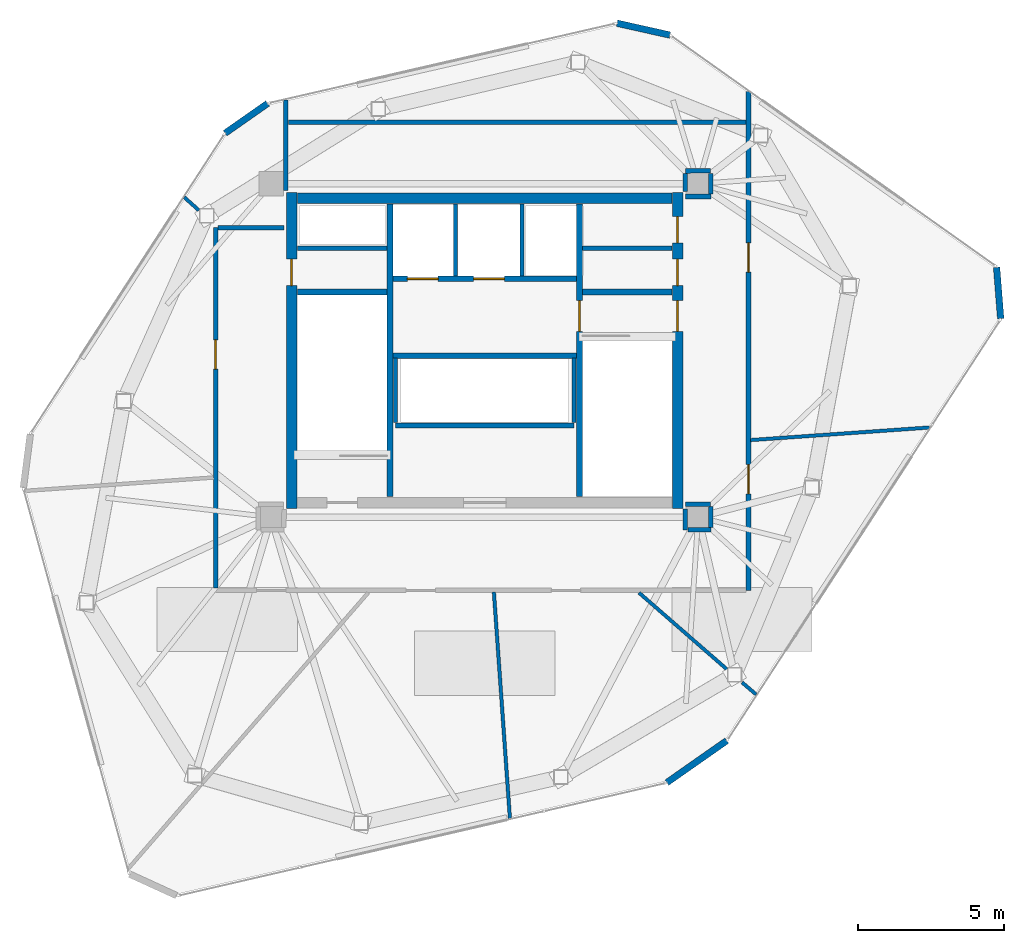
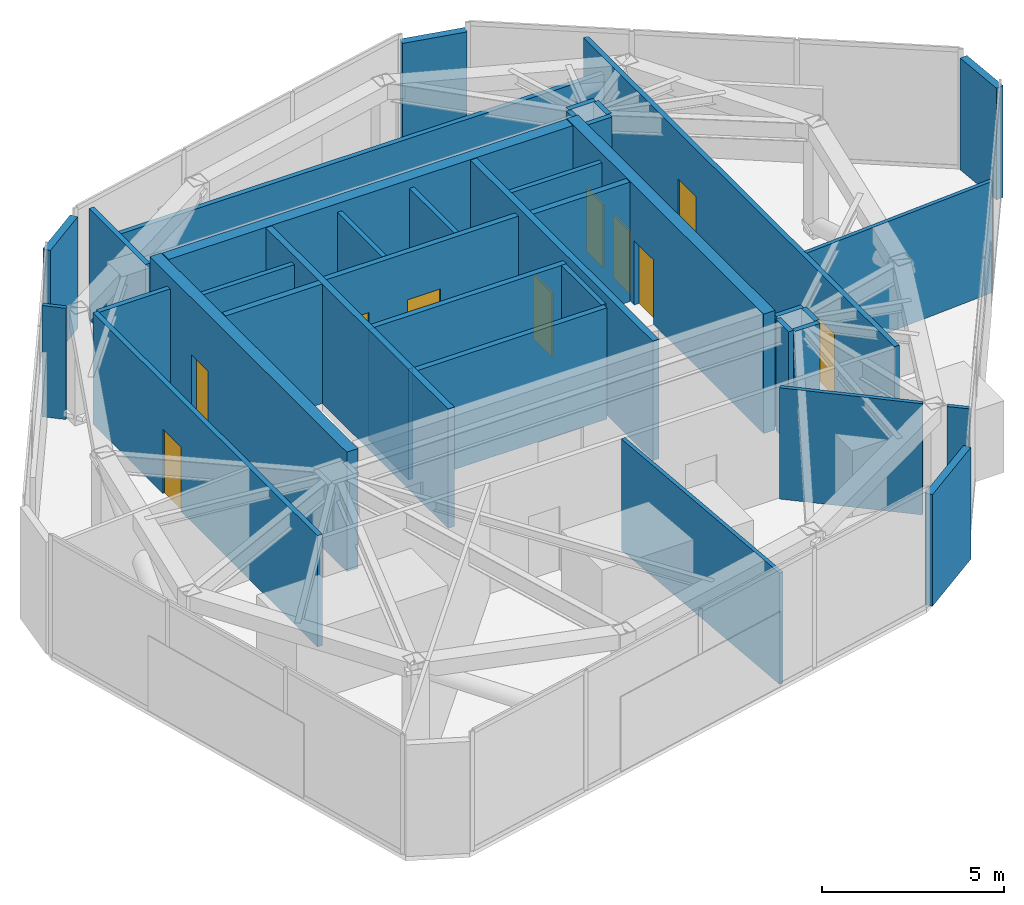
# One storey, part 18 of 20: 38 walls, 10 doors, 10 openings.
"""IFC4 building model written with IfcOpenShell, lengths in metres."""

from ifc_helpers import new_model, si_unit, direction, frame, frame_2d, origin, place, context, subcontext, project, spatial, rectangle, extrude, source, transform, mapped, material, layer, layer_set, type_object, type_shapes, element, fill, save


model = new_model("IFC4")

# Units and contexts
model_context = context("Model", 3, precision=1e-05, world=origin(), true_north=direction((0.0, 1.0)))
body_context = subcontext(model_context, "Body", "Model", "MODEL_VIEW")
ifc_project = project(units=[si_unit("LENGTHUNIT", "METRE"), si_unit("AREAUNIT", "SQUARE_METRE"), si_unit("VOLUMEUNIT", "CUBIC_METRE"), si_unit("PLANEANGLEUNIT", "RADIAN"), si_unit("MASSUNIT", "GRAM", prefix="KILO")], contexts=[model_context])

# Site, building, storey
site_placement = place(None, origin())
site = spatial("IfcSite", under=ifc_project, at=site_placement, CompositionType="ELEMENT")
building_placement = place(site_placement, origin())
building = spatial("IfcBuilding", under=site, at=building_placement, Name="Talar Marvaseh", CompositionType="ELEMENT")
storey_placement = place(building_placement, frame((0.0, 0.0, 312.0)))
storey = spatial("IfcBuildingStorey", under=building, at=storey_placement, Name="L83", CompositionType="ELEMENT", Elevation=312.0)

# Walls
ifc_material_1 = material(Name="Precast concrete C45/55", Category="concrete")
ifc_layer_1 = layer(ifc_material_1, 0.22509765625)
ifc_layer_set_1 = layer_set([ifc_layer_1], Name="Precast concrete C45/55")
wall_type_1 = type_object("IfcWallType", Name="Chamfered Hexagonal Corner Pier Wall Z4 225", PredefinedType="SOLIDWALL", material=ifc_layer_set_1)
wall_1_placement = place(storey_placement, frame((17.1220703125, 38.626708984375, 0.0), z_axis=(0.0, 0.0, 1.0), x_axis=(0.819090185356, 0.573664769925, 0.0)))
element("IfcWall", 1, at=wall_1_placement, inside=storey, type_object=wall_type_1, Name="L83 Chamfered Corner Limestone Pier 3", PredefinedType="SOLIDWALL", context=body_context, shape_type="SweptSolid", body=[
    extrude(rectangle(XDim=1.780517578125, YDim=0.22509765625, at=frame_2d((0.89013671875, 0.0))), origin(), (0.0, 0.0, 1.0), 3.739990234375),
])
wall_2_placement = place(storey_placement, frame((30.5244140625, 42.38916015625, 0.0), z_axis=(0.0, 0.0, 1.0), x_axis=(0.975826819247, -0.218545232932, 0.0)))
element("IfcWall", 2, at=wall_2_placement, inside=storey, type_object=wall_type_1, Name="L83 Chamfered Corner Limestone Pier 4", PredefinedType="SOLIDWALL", context=body_context, shape_type="SweptSolid", body=[
    extrude(rectangle(XDim=1.856689453125, YDim=0.22509765625, at=frame_2d((0.92822265625, 0.0))), origin(), (0.0, 0.0, 1.0), 3.739990234375),
])
wall_3_placement = place(storey_placement, frame((43.504150390625, 34.041748046875, 0.0), z_axis=(0.0, 0.0, 1.0), x_axis=(0.079712105085, -0.996817927358, 0.0)))
element("IfcWall", 3, at=wall_3_placement, inside=storey, type_object=wall_type_1, Name="L83 Chamfered Corner Limestone Pier 5", PredefinedType="SOLIDWALL", context=body_context, shape_type="SweptSolid", body=[
    extrude(rectangle(XDim=1.758056640625, YDim=0.22509765625, at=frame_2d((0.87890625, 0.0))), origin(), (0.0, 0.0, 1.0), 3.739990234375),
])
wall_4_placement = place(storey_placement, frame((34.27880859375, 17.85791015625, 0.0), z_axis=(0.0, 0.0, 1.0), x_axis=(-0.819149408047, -0.573580201276, 0.0)))
element("IfcWall", 4, at=wall_4_placement, inside=storey, type_object=wall_type_1, Name="L83 Chamfered Corner Limestone Pier 6", PredefinedType="SOLIDWALL", context=body_context, shape_type="SweptSolid", body=[
    extrude(rectangle(XDim=2.50244140625, YDim=0.22509765625, at=frame_2d((1.251220703125, 0.0))), origin(), (0.0, 0.0, 1.0), 3.739990234375),
])
ifc_material_2 = material(Name="Gypsum Board Partition Assembly")
ifc_layer_2 = layer(ifc_material_2, 0.155029296875)
ifc_layer_set_2 = layer_set([ifc_layer_2], Name="Gypsum Board Partition Assembly")
wall_type_2 = type_object("IfcWallType", Name="Corridor Fire-Rated Acoustic Partition 155", PredefinedType="PARTITIONING", material=ifc_layer_set_2)
for number, where, z_axis, x_axis, name in (
    (5, (19.60009765625, 34.699951171875, 0.0), (0.0, 0.0, 1.0), (1.0, 0.0, 0.0), "L83 Core BOH Partition"),
    (6, (29.340087890625, 34.699951171875, 0.0), (0.0, 0.0, 1.0), (1.0, 0.0, 0.0), "L83 Core BOH Partition"),
):
    element("IfcWall", number, at=place(storey_placement, frame(where, z_axis=z_axis, x_axis=x_axis)), inside=storey, type_object=wall_type_2, Name=name, PredefinedType="PARTITIONING", context=body_context, shape_type="SweptSolid", body=[
        extrude(rectangle(XDim=3.059814453125, YDim=0.155029296875, at=frame_2d((1.52978515625, 0.0))), origin(), (0.0, 0.0, 1.0), 3.72509765625),
    ])

# Wall, openings, doors
wall_5_placement = place(storey_placement, frame((35.02001953125, 40.060546875, 0.0), z_axis=(0.0, 0.0, 1.0), x_axis=(0.0, -1.0, 0.0)))
wall_5 = element("IfcWall", 7, at=wall_5_placement, inside=storey, type_object=wall_type_2, Name="L83 Interior Partition Wall", PredefinedType="PARTITIONING", context=body_context, shape_type="SweptSolid", body=[
    extrude(rectangle(XDim=17.060546875, YDim=0.155029296875, at=frame_2d((8.5302734375, 0.0))), origin(), (0.0, 0.0, 1.0), 3.72509765625),
])
opening_1_placement = place(wall_5_placement, frame((12.765380859375, 0.0, 0.0)))
opening_1 = element("IfcOpeningElement", 8, at=opening_1_placement, cuts=wall_5, Name="Opening DR-RM100", PredefinedType="OPENING", context=body_context, shape_type="SweptSolid", body=[
    extrude(rectangle(XDim=1.0, YDim=2.14990234375, at=frame_2d((0.5, 1.074951171875))), frame((0.0, 0.08740234375, 0.0), z_axis=(0.0, -1.0, 0.0), x_axis=(1.0, 0.0, 0.0)), (0.0, 0.0, 1.0), 0.175048828125),
])
opening_2_placement = place(wall_5_placement, frame((5.184326171875, 0.0, 0.0)))
opening_2 = element("IfcOpeningElement", 9, at=opening_2_placement, cuts=wall_5, Name="Opening DR-RM100", PredefinedType="OPENING", context=body_context, shape_type="SweptSolid", body=[
    extrude(rectangle(XDim=1.0, YDim=2.14990234375, at=frame_2d((0.5, 1.074951171875))), frame((0.0, 0.08740234375, 0.0), z_axis=(0.0, -1.0, 0.0), x_axis=(1.0, 0.0, 0.0)), (0.0, 0.0, 1.0), 0.175048828125),
])
ifc_material_3 = material(Name="Acoustic Engineered Oak Timber", Category="wood")
door_type_1 = type_object("IfcDoorType", Name="Corridor Fire-Rated Gallery Door 1000x2150", OperationType="NOTDEFINED", PredefinedType="DOOR", material=ifc_material_3)
shared_shape_1 = source(origin(), body_context, "Body", "SweptSolid", [
    extrude(rectangle(XDim=1.0, YDim=2.14990234375, at=frame_2d((0.5, 1.074951171875))), frame((0.0, 0.02490234375, 0.0), z_axis=(0.0, -1.0, 0.0), x_axis=(1.0, 0.0, 0.0)), (0.0, 0.0, 1.0), 0.050048828125),
])
type_shapes(door_type_1, [shared_shape_1])
door_1_placement = place(opening_1_placement, origin())
door_1 = element("IfcDoor", 10, at=door_1_placement, inside=storey, type_object=door_type_1, Name="L83 HV Transformer Switchroom Door", OperationType="SINGLE_SWING_LEFT", OverallHeight=2.14990234375, OverallWidth=1.0, PredefinedType="DOOR", context=body_context, shape_type="MappedRepresentation", body=[
    mapped(shared_shape_1, transform((0.0, 0.0, 0.0), x_axis=(1.0, 0.0, 0.0), y_axis=(0.0, 1.0, 0.0), z_axis=(0.0, 0.0, 1.0), scale=1.0)),
])
fill(opening_1, door_1)
door_2_placement = place(opening_2_placement, origin())
door_2 = element("IfcDoor", 11, at=door_2_placement, inside=storey, type_object=door_type_1, Name="L83 Heat Recovery Mechanical Plant Room Door", OperationType="SINGLE_SWING_RIGHT", OverallHeight=2.14990234375, OverallWidth=1.0, PredefinedType="DOOR", context=body_context, shape_type="MappedRepresentation", body=[
    mapped(shared_shape_1, transform((0.0, 0.0, 0.0), x_axis=(1.0, 0.0, 0.0), y_axis=(0.0, 1.0, 0.0), z_axis=(0.0, 0.0, 1.0), scale=1.0)),
])
fill(opening_2, door_2)

# Wall, opening, door
wall_6_placement = place(storey_placement, frame((16.800048828125, 23.08349609375, 0.0), z_axis=(0.0, 0.0, 1.0), x_axis=(0.0, 1.0, 0.0)))
wall_6 = element("IfcWall", 12, at=wall_6_placement, inside=storey, type_object=wall_type_2, Name="L83 Interior Partition Wall", PredefinedType="PARTITIONING", context=body_context, shape_type="SweptSolid", body=[
    extrude(rectangle(XDim=12.31640625, YDim=0.155029296875, at=frame_2d((6.158203125, 0.0))), origin(), (0.0, 0.0, 1.0), 3.72509765625),
])
opening_3_placement = place(wall_6_placement, frame((7.474609375, 0.0, 0.0)))
opening_3 = element("IfcOpeningElement", 13, at=opening_3_placement, cuts=wall_6, Name="Opening DR-RM100", PredefinedType="OPENING", context=body_context, shape_type="SweptSolid", body=[
    extrude(rectangle(XDim=1.0, YDim=2.14990234375, at=frame_2d((0.5, 1.074951171875))), frame((0.0, 0.08740234375, 0.0), z_axis=(0.0, -1.0, 0.0), x_axis=(1.0, 0.0, 0.0)), (0.0, 0.0, 1.0), 0.175048828125),
])
door_3_placement = place(opening_3_placement, origin())
door_3 = element("IfcDoor", 14, at=door_3_placement, inside=storey, type_object=door_type_1, Name="L83 BMS Telecoms Control Plant Room Door", OperationType="SINGLE_SWING_LEFT", OverallHeight=2.14990234375, OverallWidth=1.0, PredefinedType="DOOR", context=body_context, shape_type="MappedRepresentation", body=[
    mapped(shared_shape_1, transform((0.0, 0.0, 0.0), x_axis=(1.0, 0.0, 0.0), y_axis=(0.0, 1.0, 0.0), z_axis=(0.0, 0.0, 1.0), scale=1.0)),
])
fill(opening_3, door_3)

# Walls
wall_7_placement = place(storey_placement, frame((16.883544921875, 35.39990234375, 0.0), z_axis=(0.0, 0.0, 1.0), x_axis=(1.0, 0.0, 0.0)))
element("IfcWall", 15, at=wall_7_placement, inside=storey, type_object=wall_type_2, Name="L83 Interior Partition Wall", PredefinedType="PARTITIONING", context=body_context, shape_type="SweptSolid", body=[
    extrude(rectangle(XDim=2.246337890625, YDim=0.155029296875, at=frame_2d((1.123046875, 0.0))), origin(), (0.0, 0.0, 1.0), 3.72509765625),
])
wall_8_placement = place(storey_placement, frame((19.199951171875, 36.669921875, 0.0), z_axis=(0.0, 0.0, 1.0), x_axis=(0.0, 1.0, 0.0)))
element("IfcWall", 16, at=wall_8_placement, inside=storey, type_object=wall_type_2, Name="L83 Interior Partition Wall", PredefinedType="PARTITIONING", context=body_context, shape_type="SweptSolid", body=[
    extrude(rectangle(XDim=3.10009765625, YDim=0.155029296875, at=frame_2d((1.550048828125, 0.0))), origin(), (0.0, 0.0, 1.0), 3.72509765625),
])
wall_9_placement = place(storey_placement, frame((19.283447265625, 39.0, 0.0), z_axis=(0.0, 0.0, 1.0), x_axis=(1.0, 0.0, 0.0)))
element("IfcWall", 17, at=wall_9_placement, inside=storey, type_object=wall_type_2, Name="L83 Interior Partition Wall", PredefinedType="PARTITIONING", context=body_context, shape_type="SweptSolid", body=[
    extrude(rectangle(XDim=15.653076171875, YDim=0.155029296875, at=frame_2d((7.82666015625, 0.0))), origin(), (0.0, 0.0, 1.0), 3.199951171875),
])
wall_10_placement = place(storey_placement, frame((33.72509765625, 25.93994140625, 0.0), z_axis=(0.0, 0.0, 1.0), x_axis=(-0.999986790873, -0.005139852152, 0.0)))
element("IfcWall", 18, at=wall_10_placement, inside=storey, type_object=wall_type_2, Name="L83 Interior Partition Wall", PredefinedType="PARTITIONING", context=body_context, shape_type="SweptSolid", body=[
    extrude(rectangle(XDim=0.85498046875, YDim=0.155029296875, at=frame_2d((0.427490234375, 0.0))), origin(), (0.0, 0.0, 1.0), 3.72509765625),
])
wall_11_placement = place(storey_placement, frame((32.864501953125, 25.772705078125, 0.0), z_axis=(0.0, 0.0, 1.0), x_axis=(0.0, -1.0, 0.0)))
element("IfcWall", 19, at=wall_11_placement, inside=storey, type_object=wall_type_2, Name="L83 Interior Partition Wall", PredefinedType="PARTITIONING", context=body_context, shape_type="SweptSolid", body=[
    extrude(rectangle(XDim=0.708251953125, YDim=0.155029296875, at=frame_2d((0.35400390625, 0.0))), origin(), (0.0, 0.0, 1.0), 3.72509765625),
])
wall_12_placement = place(storey_placement, frame((32.947998046875, 25.064453125, 0.0), z_axis=(0.0, 0.0, 1.0), x_axis=(1.0, 0.0, 0.0)))
element("IfcWall", 20, at=wall_12_placement, inside=storey, type_object=wall_type_2, Name="L83 Interior Partition Wall", PredefinedType="PARTITIONING", context=body_context, shape_type="SweptSolid", body=[
    extrude(rectangle(XDim=0.78759765625, YDim=0.155029296875, at=frame_2d((0.393798828125, 0.0))), origin(), (0.0, 0.0, 1.0), 3.72509765625),
])
wall_13_placement = place(storey_placement, frame((33.734619140625, 25.14794921875, 0.0), z_axis=(0.0, 0.0, 1.0), x_axis=(-0.012059770759, 0.99992727832, 0.0)))
element("IfcWall", 21, at=wall_13_placement, inside=storey, type_object=wall_type_2, Name="L83 Interior Partition Wall", PredefinedType="PARTITIONING", context=body_context, shape_type="SweptSolid", body=[
    extrude(rectangle(XDim=0.70849609375, YDim=0.155029296875, at=frame_2d((0.354248046875, 0.0))), origin(), (0.0, 0.0, 1.0), 3.72509765625),
])
wall_14_placement = place(storey_placement, frame((33.72509765625, 37.340087890625, 0.0), z_axis=(0.0, 0.0, 1.0), x_axis=(-0.999986962681, -0.005106316405, 0.0)))
element("IfcWall", 22, at=wall_14_placement, inside=storey, type_object=wall_type_2, Name="L83 Interior Partition Wall", PredefinedType="PARTITIONING", context=body_context, shape_type="SweptSolid", body=[
    extrude(rectangle(XDim=0.860595703125, YDim=0.155029296875, at=frame_2d((0.43017578125, 0.0))), origin(), (0.0, 0.0, 1.0), 3.72509765625),
])
wall_15_placement = place(storey_placement, frame((32.864501953125, 37.252197265625, 0.0), z_axis=(0.0, 0.0, 1.0), x_axis=(0.0, -1.0, 0.0)))
element("IfcWall", 23, at=wall_15_placement, inside=storey, type_object=wall_type_2, Name="L83 Interior Partition Wall", PredefinedType="PARTITIONING", context=body_context, shape_type="SweptSolid", body=[
    extrude(rectangle(XDim=0.624755859375, YDim=0.155029296875, at=frame_2d((0.3125, 0.0))), origin(), (0.0, 0.0, 1.0), 3.72509765625),
])
wall_16_placement = place(storey_placement, frame((32.8701171875, 36.46435546875, 0.0), z_axis=(0.0, 0.0, 1.0), x_axis=(1.0, 0.0, 0.0)))
element("IfcWall", 24, at=wall_16_placement, inside=storey, type_object=wall_type_2, Name="L83 Interior Partition Wall", PredefinedType="PARTITIONING", context=body_context, shape_type="SweptSolid", body=[
    extrude(rectangle(XDim=0.865478515625, YDim=0.155029296875, at=frame_2d((0.4326171875, 0.0))), origin(), (0.0, 0.0, 1.0), 3.72509765625),
])
wall_17_placement = place(storey_placement, frame((33.734619140625, 36.5478515625, 0.0), z_axis=(0.0, 0.0, 1.0), x_axis=(-0.012055617118, 0.999927328407, 0.0)))
element("IfcWall", 25, at=wall_17_placement, inside=storey, type_object=wall_type_2, Name="L83 Interior Partition Wall", PredefinedType="PARTITIONING", context=body_context, shape_type="SweptSolid", body=[
    extrude(rectangle(XDim=0.708740234375, YDim=0.155029296875, at=frame_2d((0.3544921875, 0.0))), origin(), (0.0, 0.0, 1.0), 3.72509765625),
])
ifc_layer_3 = layer(ifc_material_2, 0.1201171875)
ifc_layer_set_3 = layer_set([ifc_layer_3], Name="Gypsum Board Partition Assembly")
wall_type_3 = type_object("IfcWallType", Name="Demountable Studio Room Partition 120", PredefinedType="PARTITIONING", material=ifc_layer_set_3)
wall_18_placement = place(storey_placement, frame((26.314697265625, 22.935302734375, 0.0), z_axis=(0.0, 0.0, 1.0), x_axis=(0.0706807204, -0.997498990357, 0.0)))
element("IfcWall", 26, at=wall_18_placement, inside=storey, type_object=wall_type_3, Name="L83 Interior Partition Wall", PredefinedType="PARTITIONING", context=body_context, shape_type="SweptSolid", body=[
    extrude(rectangle(XDim=7.7509765625, YDim=0.1201171875, at=frame_2d((3.87548828125, 0.0))), origin(), (0.0, 0.0, 1.0), 3.72509765625),
])
wall_19_placement = place(storey_placement, frame((31.27587890625, 22.91650390625, 0.0), z_axis=(0.0, 0.0, 1.0), x_axis=(0.754089428475, -0.656771751724, 0.0)))
element("IfcWall", 27, at=wall_19_placement, inside=storey, type_object=wall_type_3, Name="L83 Interior Partition Wall", PredefinedType="PARTITIONING", context=body_context, shape_type="SweptSolid", body=[
    extrude(rectangle(XDim=3.98388671875, YDim=0.1201171875, at=frame_2d((1.991943359375, 0.0))), origin(), (0.0, 0.0, 1.0), 3.72509765625),
])
wall_20_placement = place(storey_placement, frame((34.800048828125, 19.85009765625, 0.0), z_axis=(0.0, 0.0, 1.0), x_axis=(0.759174989052, -0.650886576908, 0.0)))
element("IfcWall", 28, at=wall_20_placement, inside=storey, type_object=wall_type_3, Name="L83 Interior Partition Wall", PredefinedType="PARTITIONING", context=body_context, shape_type="SweptSolid", body=[
    extrude(rectangle(XDim=0.633544921875, YDim=0.1201171875, at=frame_2d((0.31689453125, 0.0))), origin(), (0.0, 0.0, 1.0), 3.72509765625),
])
wall_21_placement = place(storey_placement, frame((35.084716796875, 28.134521484375, 0.0), z_axis=(0.0, 0.0, 1.0), x_axis=(0.997534337643, 0.070180091361, 0.0)))
element("IfcWall", 29, at=wall_21_placement, inside=storey, type_object=wall_type_3, Name="L83 Interior Partition Wall", PredefinedType="PARTITIONING", context=body_context, shape_type="SweptSolid", body=[
    extrude(rectangle(XDim=6.14697265625, YDim=0.1201171875, at=frame_2d((3.073486328125, 0.0))), origin(), (0.0, 0.0, 1.0), 3.72509765625),
])
wall_22_placement = place(storey_placement, frame((16.22998046875, 35.989990234375, 0.0), z_axis=(0.0, 0.0, 1.0), x_axis=(-0.746266181096, 0.665647644744, 0.0)))
element("IfcWall", 30, at=wall_22_placement, inside=storey, type_object=wall_type_3, Name="L83 Interior Partition Wall", PredefinedType="PARTITIONING", context=body_context, shape_type="SweptSolid", body=[
    extrude(rectangle(XDim=0.67236328125, YDim=0.1201171875, at=frame_2d((0.336181640625, 0.0))), origin(), (0.0, 0.0, 1.0), 3.72509765625),
])
ifc_layer_4 = layer(ifc_material_1, 0.14501953125)
ifc_layer_set_4 = layer_set([ifc_layer_4], Name="Precast concrete C45/55")
wall_type_4 = type_object("IfcWallType", Name="Fire-Rated Lift Divider Wall 145", PredefinedType="SOLIDWALL", material=ifc_layer_set_4)
for number, where, z_axis, x_axis, name in (
    (31, (25.0, 33.743408203125, 0.0), (0.0, 0.0, 1.0), (0.0, 1.0, 0.0), "L83 FFL-1/FFL-2 Divider"),
    (32, (27.280029296875, 33.743408203125, 0.0), (0.0, 0.0, 1.0), (0.0, 1.0, 0.0), "L83 FFL-2/SVL-1 Divider"),
):
    element("IfcWall", number, at=place(storey_placement, frame(where, z_axis=z_axis, x_axis=x_axis)), inside=storey, type_object=wall_type_4, Name=name, PredefinedType="SOLIDWALL", context=body_context, shape_type="SweptSolid", body=[
        extrude(rectangle(XDim=2.45654296875, YDim=0.14501953125, at=frame_2d((1.228271484375, 0.0))), origin(), (0.0, 0.0, 1.0), 3.72509765625),
    ])
for number, where, z_axis, x_axis, name in (
    (33, (22.949951171875, 28.739990234375, 0.0), (0.0, 0.0, 1.0), (0.0, 1.0, 0.0), "L83 High-Rise Riser West Enclosure Wall"),
    (34, (29.050048828125, 28.739990234375, 0.0), (0.0, 0.0, 1.0), (0.0, 1.0, 0.0), "L83 High-Rise Riser East Enclosure Wall"),
):
    element("IfcWall", number, at=place(storey_placement, frame(where, z_axis=z_axis, x_axis=x_axis)), inside=storey, type_object=wall_type_4, Name=name, PredefinedType="SOLIDWALL", context=body_context, shape_type="SweptSolid", body=[
        extrude(rectangle(XDim=2.199951171875, YDim=0.14501953125, at=frame_2d((1.10009765625, 0.0))), origin(), (0.0, 0.0, 1.0), 3.72509765625),
    ])

# Wall, openings, doors
ifc_layer_5 = layer(ifc_material_1, 0.175048828125)
ifc_layer_set_5 = layer_set([ifc_layer_5], Name="Precast concrete C45/55")
wall_type_5 = type_object("IfcWallType", Name="Fire-Rated Lift Hoistway Enclosure Wall 175", PredefinedType="SOLIDWALL", material=ifc_layer_set_5)
wall_23_placement = place(storey_placement, frame((22.860107421875, 33.64990234375, 0.0), z_axis=(0.0, 0.0, 1.0), x_axis=(1.0, 0.0, 0.0)))
wall_23 = element("IfcWall", 35, at=wall_23_placement, inside=storey, type_object=wall_type_5, Name="L83 Firefighting and Service Lift Front Wall", PredefinedType="SOLIDWALL", context=body_context, shape_type="SweptSolid", body=[
    extrude(rectangle(XDim=6.27978515625, YDim=0.175048828125, at=frame_2d((3.139892578125, 0.0))), origin(), (0.0, 0.0, 1.0), 3.72509765625),
])
opening_4_placement = place(wall_23_placement, frame((0.5, 0.0, 0.0)))
opening_4 = element("IfcOpeningElement", 36, at=opening_4_placement, cuts=wall_23, Name="Opening LD-FF1", PredefinedType="OPENING", context=body_context, shape_type="SweptSolid", body=[
    extrude(rectangle(XDim=1.050048828125, YDim=2.14990234375, at=frame_2d((0.52490234375, 1.074951171875))), frame((0.0, 0.09765625, 0.0), z_axis=(0.0, -1.0, 0.0), x_axis=(1.0, 0.0, 0.0)), (0.0, 0.0, 1.0), 0.195068359375),
])
opening_5_placement = place(wall_23_placement, frame((2.760009765625, 0.0, 0.0)))
opening_5 = element("IfcOpeningElement", 37, at=opening_5_placement, cuts=wall_23, Name="Opening LD-FF2", PredefinedType="OPENING", context=body_context, shape_type="SweptSolid", body=[
    extrude(rectangle(XDim=1.050048828125, YDim=2.14990234375, at=frame_2d((0.52490234375, 1.074951171875))), frame((0.0, 0.09765625, 0.0), z_axis=(0.0, -1.0, 0.0), x_axis=(1.0, 0.0, 0.0)), (0.0, 0.0, 1.0), 0.195068359375),
])
ifc_material_4 = material(Name="Stainless Steel Grade 316", Category="steel")
door_type_2 = type_object("IfcDoorType", Name="Automatic Sliding Lift Landing Door 1050x2150", OperationType="NOTDEFINED", PredefinedType="DOOR", material=ifc_material_4)
shared_shape_2 = source(origin(), body_context, "Body", "SweptSolid", [
    extrude(rectangle(XDim=1.050048828125, YDim=2.14990234375, at=frame_2d((0.52490234375, 1.074951171875))), frame((0.0, 0.02490234375, 0.0), z_axis=(0.0, -1.0, 0.0), x_axis=(1.0, 0.0, 0.0)), (0.0, 0.0, 1.0), 0.050048828125),
])
type_shapes(door_type_2, [shared_shape_2])
door_4_placement = place(opening_4_placement, origin())
door_4 = element("IfcDoor", 38, at=door_4_placement, inside=storey, type_object=door_type_2, Name="L83 Lift FFL-1 Sliding Landing Door", OperationType="SLIDING_TO_LEFT", OverallHeight=2.14990234375, OverallWidth=1.050048828125, PredefinedType="DOOR", context=body_context, shape_type="MappedRepresentation", body=[
    mapped(shared_shape_2, transform((0.0, 0.0, 0.0), x_axis=(1.0, 0.0, 0.0), y_axis=(0.0, 1.0, 0.0), z_axis=(0.0, 0.0, 1.0), scale=1.0)),
])
fill(opening_4, door_4)
door_5_placement = place(opening_5_placement, origin())
door_5 = element("IfcDoor", 39, at=door_5_placement, inside=storey, type_object=door_type_2, Name="L83 Lift FFL-2 Sliding Landing Door", OperationType="SLIDING_TO_LEFT", OverallHeight=2.14990234375, OverallWidth=1.050048828125, PredefinedType="DOOR", context=body_context, shape_type="MappedRepresentation", body=[
    mapped(shared_shape_2, transform((0.0, 0.0, 0.0), x_axis=(1.0, 0.0, 0.0), y_axis=(0.0, 1.0, 0.0), z_axis=(0.0, 0.0, 1.0), scale=1.0)),
])
fill(opening_5, door_5)

# Walls
wall_24_placement = place(storey_placement, frame((22.860107421875, 31.02001953125, 0.0), z_axis=(0.0, 0.0, 1.0), x_axis=(1.0, 0.0, 0.0)))
element("IfcWall", 40, at=wall_24_placement, inside=storey, type_object=wall_type_5, Name="L83 Firefighting Lobby South Smoke Wall", PredefinedType="SOLIDWALL", context=body_context, shape_type="SweptSolid", body=[
    extrude(rectangle(XDim=6.27978515625, YDim=0.175048828125, at=frame_2d((3.139892578125, 0.0))), origin(), (0.0, 0.0, 1.0), 3.72509765625),
])
wall_25_placement = place(storey_placement, frame((22.949951171875, 28.639892578125, 0.0), z_axis=(0.0, 0.0, 1.0), x_axis=(1.0, 0.0, 0.0)))
element("IfcWall", 41, at=wall_25_placement, inside=storey, type_object=wall_type_5, Name="L83 High-Rise Riser South Enclosure Wall", PredefinedType="SOLIDWALL", context=body_context, shape_type="SweptSolid", body=[
    extrude(rectangle(XDim=6.10009765625, YDim=0.175048828125, at=frame_2d((3.050048828125, 0.0))), origin(), (0.0, 0.0, 1.0), 3.72509765625),
])
ifc_material_5 = material(Name="Concrete C50/60", Category="concrete")
ifc_layer_6 = layer(ifc_material_5, 0.199951171875)
ifc_layer_set_6 = layer_set([ifc_layer_6], Name="Concrete C50/60")
wall_type_6 = type_object("IfcWallType", Name="Stair Shaft Structural Concrete Shear Wall 200", PredefinedType="SHEAR", material=ifc_layer_set_6)
wall_26_placement = place(storey_placement, frame((22.760009765625, 26.199951171875, 0.0), z_axis=(0.0, 0.0, 1.0), x_axis=(0.0, 1.0, 0.0)))
element("IfcWall", 42, at=wall_26_placement, inside=storey, type_object=wall_type_6, Name="L83 Core West Stair Shear Wall", PredefinedType="SHEAR", context=body_context, shape_type="SweptSolid", body=[
    extrude(rectangle(XDim=10.0, YDim=0.199951171875, at=frame_2d((5.0, 0.0))), origin(), (0.0, 0.0, 1.0), 4.0),
])

# Wall, opening, door
wall_27_placement = place(storey_placement, frame((29.239990234375, 26.199951171875, 0.0), z_axis=(0.0, 0.0, 1.0), x_axis=(0.0, 1.0, 0.0)))
wall_27 = element("IfcWall", 43, at=wall_27_placement, inside=storey, type_object=wall_type_6, Name="L83 Core East Stair Shear Wall", PredefinedType="SHEAR", context=body_context, shape_type="SweptSolid", body=[
    extrude(rectangle(XDim=10.0, YDim=0.199951171875, at=frame_2d((5.0, 0.0))), origin(), (0.0, 0.0, 1.0), 4.0),
])
opening_6_placement = place(wall_27_placement, frame((5.64990234375, 0.0, 0.0)))
opening_6 = element("IfcOpeningElement", 44, at=opening_6_placement, cuts=wall_27, Name="Opening DR-ST105", PredefinedType="OPENING", context=body_context, shape_type="SweptSolid", body=[
    extrude(rectangle(XDim=1.050048828125, YDim=2.14990234375, at=frame_2d((0.52490234375, 1.074951171875))), frame((0.0, 0.10986328125, 0.0), z_axis=(0.0, -1.0, 0.0), x_axis=(1.0, 0.0, 0.0)), (0.0, 0.0, 1.0), 0.219970703125),
])
ifc_material_6 = material(Name="Fire-Rated Steel Door Leaf", Category="steel")
door_type_3 = type_object("IfcDoorType", Name="Protected Exit Stair Fire Door 1050x2150", OperationType="NOTDEFINED", PredefinedType="DOOR", material=ifc_material_6)
shared_shape_3 = source(origin(), body_context, "Body", "SweptSolid", [
    extrude(rectangle(XDim=1.050048828125, YDim=2.14990234375, at=frame_2d((0.52490234375, 1.074951171875))), frame((0.0, 0.02490234375, 0.0), z_axis=(0.0, -1.0, 0.0), x_axis=(1.0, 0.0, 0.0)), (0.0, 0.0, 1.0), 0.050048828125),
])
type_shapes(door_type_3, [shared_shape_3])
door_6_placement = place(opening_6_placement, origin())
door_6 = element("IfcDoor", 45, at=door_6_placement, inside=storey, type_object=door_type_3, Name="L83 Firefighting Lobby to Stair ST-2 Door", OperationType="SINGLE_SWING_LEFT", OverallHeight=2.14990234375, OverallWidth=1.050048828125, PredefinedType="DOOR", context=body_context, shape_type="MappedRepresentation", body=[
    mapped(shared_shape_3, transform((0.0, 0.0, 0.0), x_axis=(1.0, 0.0, 0.0), y_axis=(0.0, 1.0, 0.0), z_axis=(0.0, 0.0, 1.0), scale=1.0)),
])
fill(opening_6, door_6)

# Walls
for number, where, z_axis, x_axis, name in (
    (46, (19.60009765625, 33.199951171875, 0.0), (0.0, 0.0, 1.0), (1.0, 0.0, 0.0), "L83 Stair ST-1 North Shear Wall"),
    (47, (29.340087890625, 33.199951171875, 0.0), (0.0, 0.0, 1.0), (1.0, 0.0, 0.0), "L83 Stair ST-2 North Shear Wall"),
):
    element("IfcWall", number, at=place(storey_placement, frame(where, z_axis=z_axis, x_axis=x_axis)), inside=storey, type_object=wall_type_6, Name=name, PredefinedType="SHEAR", context=body_context, shape_type="SweptSolid", body=[
        extrude(rectangle(XDim=3.059814453125, YDim=0.199951171875, at=frame_2d((1.52978515625, 0.0))), origin(), (0.0, 0.0, 1.0), 4.0),
    ])

# Wall, opening, door
ifc_layer_7 = layer(ifc_material_5, 0.360107421875)
ifc_layer_set_7 = layer_set([ifc_layer_7], Name="Concrete C50/60")
wall_type_7 = type_object("IfcWallType", Name="Upper Core Reinforced Concrete Shear Wall 360", PredefinedType="SHEAR", material=ifc_layer_set_7)
wall_28_placement = place(storey_placement, frame((19.39990234375, 25.800048828125, 0.0), z_axis=(0.0, 0.0, 1.0), x_axis=(0.0, 1.0, 0.0)))
wall_28 = element("IfcWall", 48, at=wall_28_placement, inside=storey, type_object=wall_type_7, Name="L83 West Core Shear Wall", PredefinedType="SHEAR", context=body_context, shape_type="SweptSolid", body=[
    extrude(rectangle(XDim=10.800048828125, YDim=0.360107421875, at=frame_2d((5.39990234375, 0.0))), origin(), (0.0, 0.0, 1.0), 4.0),
])
opening_7_placement = place(wall_28_placement, frame((7.6201171875, 0.0, 0.0)))
opening_7 = element("IfcOpeningElement", 49, at=opening_7_placement, cuts=wall_28, Name="Opening DR-BOH090", PredefinedType="OPENING", context=body_context, shape_type="SweptSolid", body=[
    extrude(rectangle(XDim=0.89990234375, YDim=2.10009765625, at=frame_2d((0.449951171875, 1.050048828125))), frame((0.0, 0.18994140625, 0.0), z_axis=(0.0, -1.0, 0.0), x_axis=(1.0, 0.0, 0.0)), (0.0, 0.0, 1.0), 0.380126953125),
])
door_type_4 = type_object("IfcDoorType", Name="Core Back-of-House Service Door 900x2100", OperationType="NOTDEFINED", PredefinedType="DOOR", material=ifc_material_6)
shared_shape_4 = source(origin(), body_context, "Body", "SweptSolid", [
    extrude(rectangle(XDim=0.89990234375, YDim=2.10009765625, at=frame_2d((0.449951171875, 1.050048828125))), frame((0.0, 0.02490234375, 0.0), z_axis=(0.0, -1.0, 0.0), x_axis=(1.0, 0.0, 0.0)), (0.0, 0.0, 1.0), 0.050048828125),
])
type_shapes(door_type_4, [shared_shape_4])
door_7_placement = place(opening_7_placement, origin())
door_7 = element("IfcDoor", 50, at=door_7_placement, inside=storey, type_object=door_type_4, Name="L83 Cleaner Core West Closet Door", OperationType="SINGLE_SWING_LEFT", OverallHeight=2.10009765625, OverallWidth=0.89990234375, PredefinedType="DOOR", context=body_context, shape_type="MappedRepresentation", body=[
    mapped(shared_shape_4, transform((0.0, 0.0, 0.0), x_axis=(1.0, 0.0, 0.0), y_axis=(0.0, 1.0, 0.0), z_axis=(0.0, 0.0, 1.0), scale=1.0)),
])
fill(opening_7, door_7)

# Wall, openings, doors
wall_29_placement = place(storey_placement, frame((32.60009765625, 36.60009765625, 0.0), z_axis=(0.0, 0.0, 1.0), x_axis=(0.0, -1.0, 0.0)))
wall_29 = element("IfcWall", 51, at=wall_29_placement, inside=storey, type_object=wall_type_7, Name="L83 East Core Shear Wall", PredefinedType="SHEAR", context=body_context, shape_type="SweptSolid", body=[
    extrude(rectangle(XDim=10.800048828125, YDim=0.360107421875, at=frame_2d((5.39990234375, 0.0))), origin(), (0.0, 0.0, 1.0), 4.0),
])
opening_8_placement = place(wall_29_placement, frame((3.699951171875, 0.0, 0.0)))
opening_8 = element("IfcOpeningElement", 52, at=opening_8_placement, cuts=wall_29, Name="Opening DR-ST105", PredefinedType="OPENING", context=body_context, shape_type="SweptSolid", body=[
    extrude(rectangle(XDim=1.050048828125, YDim=2.14990234375, at=frame_2d((0.52490234375, 1.074951171875))), frame((0.0, 0.18994140625, 0.0), z_axis=(0.0, -1.0, 0.0), x_axis=(1.0, 0.0, 0.0)), (0.0, 0.0, 1.0), 0.380126953125),
])
opening_9_placement = place(wall_29_placement, frame((2.280029296875, 0.0, 0.0)))
opening_9 = element("IfcOpeningElement", 53, at=opening_9_placement, cuts=wall_29, Name="Opening DR-BOH090", PredefinedType="OPENING", context=body_context, shape_type="SweptSolid", body=[
    extrude(rectangle(XDim=0.89990234375, YDim=2.10009765625, at=frame_2d((0.449951171875, 1.050048828125))), frame((0.0, 0.18994140625, 0.0), z_axis=(0.0, -1.0, 0.0), x_axis=(1.0, 0.0, 0.0)), (0.0, 0.0, 1.0), 0.380126953125),
])
opening_10_placement = place(wall_29_placement, frame((0.820068359375, 0.0, 0.0)))
opening_10 = element("IfcOpeningElement", 54, at=opening_10_placement, cuts=wall_29, Name="Opening DR-BOH090", PredefinedType="OPENING", context=body_context, shape_type="SweptSolid", body=[
    extrude(rectangle(XDim=0.89990234375, YDim=2.10009765625, at=frame_2d((0.449951171875, 1.050048828125))), frame((0.0, 0.18994140625, 0.0), z_axis=(0.0, -1.0, 0.0), x_axis=(1.0, 0.0, 0.0)), (0.0, 0.0, 1.0), 0.380126953125),
])
door_8_placement = place(opening_8_placement, origin())
door_8 = element("IfcDoor", 55, at=door_8_placement, inside=storey, type_object=door_type_3, Name="L83 Stair ST-2 Corridor Exit Door", OperationType="SINGLE_SWING_LEFT", OverallHeight=2.14990234375, OverallWidth=1.050048828125, PredefinedType="DOOR", context=body_context, shape_type="MappedRepresentation", body=[
    mapped(shared_shape_3, transform((0.0, 0.0, 0.0), x_axis=(1.0, 0.0, 0.0), y_axis=(0.0, 1.0, 0.0), z_axis=(0.0, 0.0, 1.0), scale=1.0)),
])
fill(opening_8, door_8)
door_9_placement = place(opening_9_placement, origin())
door_9 = element("IfcDoor", 56, at=door_9_placement, inside=storey, type_object=door_type_4, Name="L83 Cleaner Core East Closet Door", OperationType="SINGLE_SWING_LEFT", OverallHeight=2.10009765625, OverallWidth=0.89990234375, PredefinedType="DOOR", context=body_context, shape_type="MappedRepresentation", body=[
    mapped(shared_shape_4, transform((0.0, 0.0, 0.0), x_axis=(1.0, 0.0, 0.0), y_axis=(0.0, 1.0, 0.0), z_axis=(0.0, 0.0, 1.0), scale=1.0)),
])
fill(opening_9, door_9)
door_10_placement = place(opening_10_placement, origin())
door_10 = element("IfcDoor", 57, at=door_10_placement, inside=storey, type_object=door_type_4, Name="L83 Store Core Supplies Room Door", OperationType="SINGLE_SWING_RIGHT", OverallHeight=2.10009765625, OverallWidth=0.89990234375, PredefinedType="DOOR", context=body_context, shape_type="MappedRepresentation", body=[
    mapped(shared_shape_4, transform((0.0, 0.0, 0.0), x_axis=(1.0, 0.0, 0.0), y_axis=(0.0, 1.0, 0.0), z_axis=(0.0, 0.0, 1.0), scale=1.0)),
])
fill(opening_10, door_10)

# Wall
wall_30_placement = place(storey_placement, frame((19.60009765625, 36.39990234375, 0.0), z_axis=(0.0, 0.0, 1.0), x_axis=(1.0, 0.0, 0.0)))
element("IfcWall", 58, at=wall_30_placement, inside=storey, type_object=wall_type_7, Name="L83 North Core Shear Wall", PredefinedType="SHEAR", context=body_context, shape_type="SweptSolid", body=[
    extrude(rectangle(XDim=12.7998046875, YDim=0.360107421875, at=frame_2d((6.39990234375, 0.0))), origin(), (0.0, 0.0, 1.0), 4.0),
])

save(model, "model.ifc")
